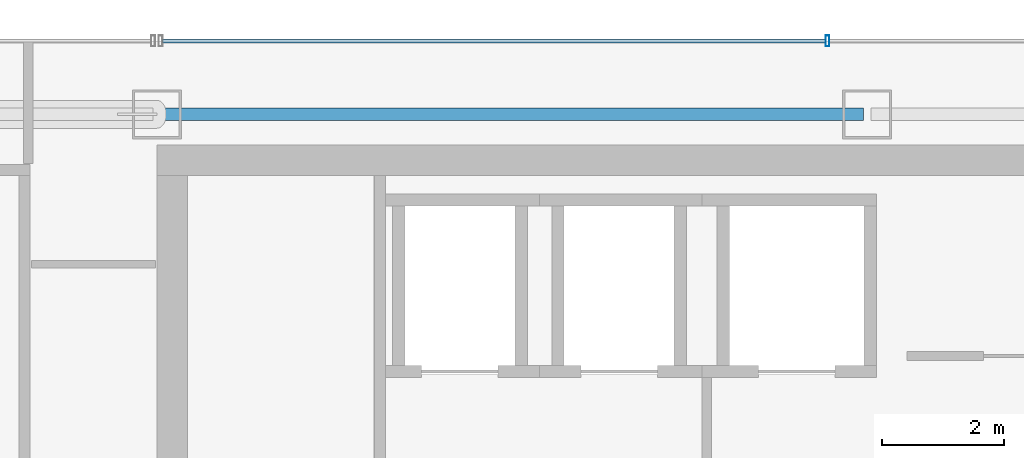
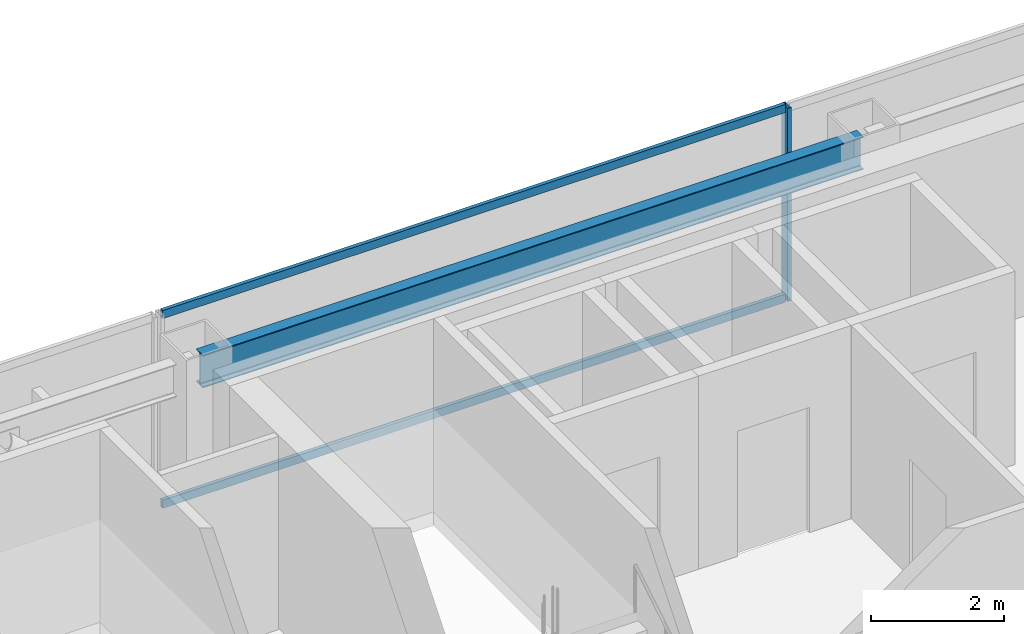
# One storey, part 24 of 36: 3 members, 1 beam, 1 element without a shape of its own.
"""IFC4 building model written with IfcOpenShell, lengths in metres."""

from ifc_helpers import new_model, si_unit, direction, frame, origin, origin_2d, place, context, subcontext, project, spatial, hollow_rectangle, i_section, extrude, material, material_profile, profile_set, type_object, element, aggregate, save


model = new_model("IFC4")

# Units and contexts
model_context = context("Model", 3, precision=1e-05, world=origin(), true_north=direction((0.0, 1.0)))
body_context = subcontext(model_context, "Body", "Model", "MODEL_VIEW")
ifc_project = project(units=[si_unit("LENGTHUNIT", "METRE"), si_unit("AREAUNIT", "SQUARE_METRE"), si_unit("VOLUMEUNIT", "CUBIC_METRE"), si_unit("PLANEANGLEUNIT", "RADIAN"), si_unit("MASSUNIT", "GRAM", prefix="KILO")], contexts=[model_context])

# Site, building, storey
site_placement = place(None, origin())
site = spatial("IfcSite", under=ifc_project, at=site_placement, CompositionType="ELEMENT")
building_placement = place(site_placement, origin())
building = spatial("IfcBuilding", under=site, at=building_placement, Name="Saevonmaru Cultural Tower", CompositionType="ELEMENT")
storey_placement = place(building_placement, frame((0.0, 0.0, 209.39990234375)))
storey = spatial("IfcBuildingStorey", under=building, at=storey_placement, Name="L48", CompositionType="ELEMENT", Elevation=209.39990234375)

# Beam
ifc_material_1 = material(Name="Steel SM355", Category="steel")
ifc_material_profile_1 = material_profile(ifc_material_1, i_section(OverallWidth=0.199951171875, OverallDepth=0.60009765625, WebThickness=0.010986328125, FlangeThickness=0.01708984375, FilletRadius=0.02197265625, at=origin_2d()), Name="H-600x200x11x17")
ifc_profile_set_1 = profile_set([ifc_material_profile_1], Name="Steel SM355")
beam_type = type_object("IfcBeamType", Name="BM-SP-H600", PredefinedType="SPANDREL", material=ifc_profile_set_1)
beam_placement = place(storey_placement, frame((13.659912109375, 54.800048828125, 3.25), z_axis=(1.0, 0.0, 0.0), x_axis=(0.0, 1.0, 0.0)))
element("IfcBeam", 1, at=beam_placement, inside=storey, type_object=beam_type, Name="L48 North Spine Girder 2", PredefinedType="SPANDREL", context=body_context, shape_type="SweptSolid", body=[
    extrude(i_section(OverallWidth=0.199951171875, OverallDepth=0.60009765625, WebThickness=0.010986328125, FlangeThickness=0.01708984375, FilletRadius=0.02197265625, at=origin_2d()), origin(), (0.0, 0.0, 1.0), 11.47998046875),
])

# Curtain wall, members
ifc_material_2 = material(Name="Satin Bronze Anodised Aluminium", Category="aluminium")
curtain_wall_type = type_object("IfcCurtainWallType", Name="CW-TYP-B", PredefinedType="NOTDEFINED", material=ifc_material_2)
curtain_wall_placement = place(storey_placement, origin())
curtain_wall = element("IfcCurtainWall", 2, at=curtain_wall_placement, inside=storey, type_object=curtain_wall_type, Name="L48 North Spine Unitised Curtain Wall E10B", PredefinedType="NOTDEFINED")
ifc_material_profile_2 = material_profile(ifc_material_2, hollow_rectangle(XDim=0.06494140625, YDim=0.179931640625, WallThickness=0.00390625, at=origin_2d()), Name="ALU-MULL-180x65x4")
ifc_profile_set_2 = profile_set([ifc_material_profile_2], Name="Satin Bronze Anodised Aluminium")
member_type_1 = type_object("IfcMemberType", Name="ML-CW-180x65", PredefinedType="MULLION", material=ifc_profile_set_2)
member_1_placement = place(storey_placement, frame((24.55322265625, 56.0, 0.0), z_axis=(0.0, 0.0, 1.0), x_axis=(-1.0, 0.0, 0.0)))
member_1 = element("IfcMember", 3, at=member_1_placement, type_object=member_type_1, Name="CW-TW-L48-E10B mullion 3", PredefinedType="MULLION", context=body_context, shape_type="SweptSolid", body=[
    extrude(hollow_rectangle(XDim=0.06494140625, YDim=0.179931640625, WallThickness=0.00390625, at=origin_2d()), origin(), (0.0, 0.0, 1.0), 3.550048828125),
])
ifc_material_profile_3 = material_profile(ifc_material_2, hollow_rectangle(XDim=0.06494140625, YDim=0.14990234375, WallThickness=0.00390625, at=origin_2d()), Name="ALU-TRAN-150x65x4")
ifc_profile_set_3 = profile_set([ifc_material_profile_3], Name="Satin Bronze Anodised Aluminium")
member_type_2 = type_object("IfcMemberType", Name="TR-CW-150x65", PredefinedType="USERDEFINED", material=ifc_profile_set_3)
member_2_placement = place(storey_placement, frame((24.520751953125, 56.0, 0.03271484375), z_axis=(-1.0, 0.0, 0.0), x_axis=(0.0, -1.0, 0.0)))
member_2 = element("IfcMember", 4, at=member_2_placement, type_object=member_type_2, Name="CW-TW-L48-E10B transom 3.1", ObjectType="TRANSOM", PredefinedType="USERDEFINED", context=body_context, shape_type="SweptSolid", body=[
    extrude(hollow_rectangle(XDim=0.06494140625, YDim=0.14990234375, WallThickness=0.00390625, at=origin_2d()), origin(), (0.0, 0.0, 1.0), 10.828369140625),
])
member_3_placement = place(storey_placement, frame((24.520751953125, 56.0, 3.517578125), z_axis=(-1.0, 0.0, 0.0), x_axis=(0.0, -1.0, 0.0)))
member_3 = element("IfcMember", 5, at=member_3_placement, type_object=member_type_2, Name="CW-TW-L48-E10B transom 3.2", ObjectType="TRANSOM", PredefinedType="USERDEFINED", context=body_context, shape_type="SweptSolid", body=[
    extrude(hollow_rectangle(XDim=0.06494140625, YDim=0.14990234375, WallThickness=0.00390625, at=origin_2d()), origin(), (0.0, 0.0, 1.0), 10.828369140625),
])
aggregate(curtain_wall, [member_1, member_2, member_3])

save(model, "model.ifc")
